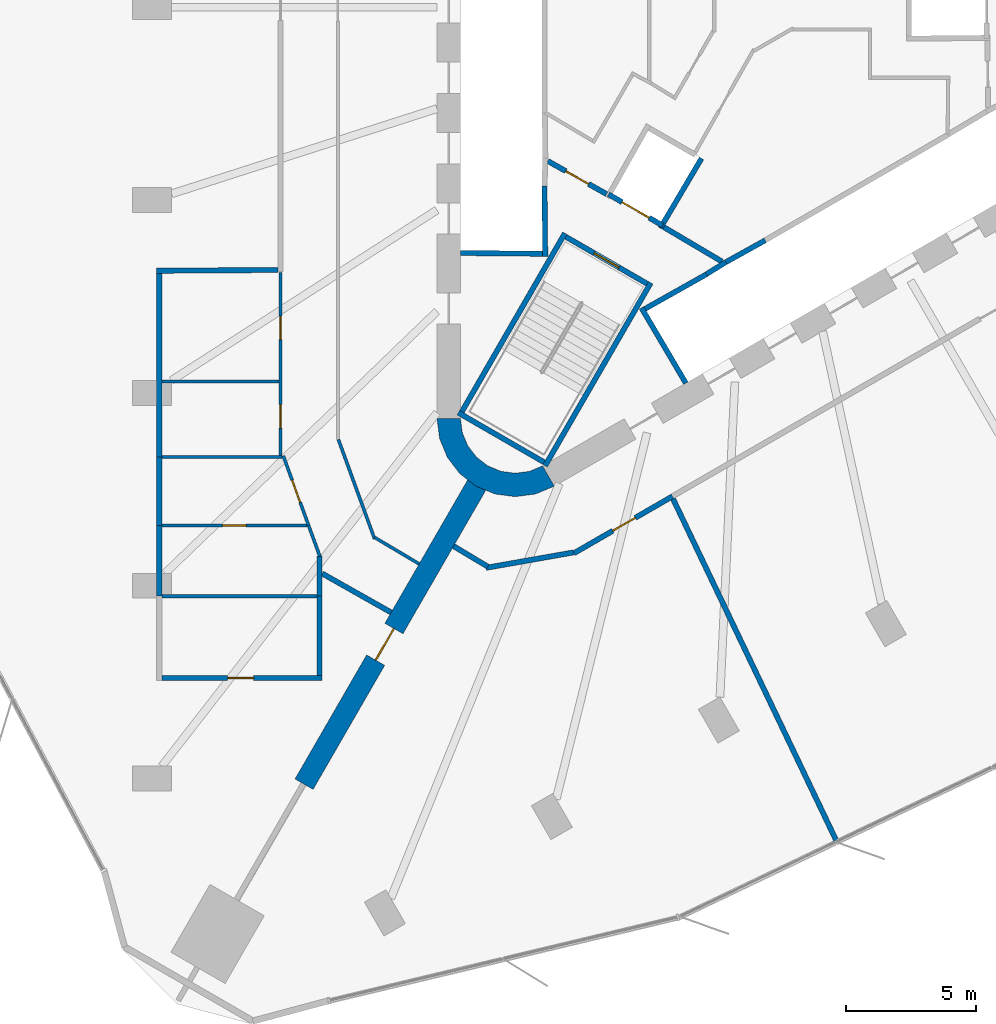
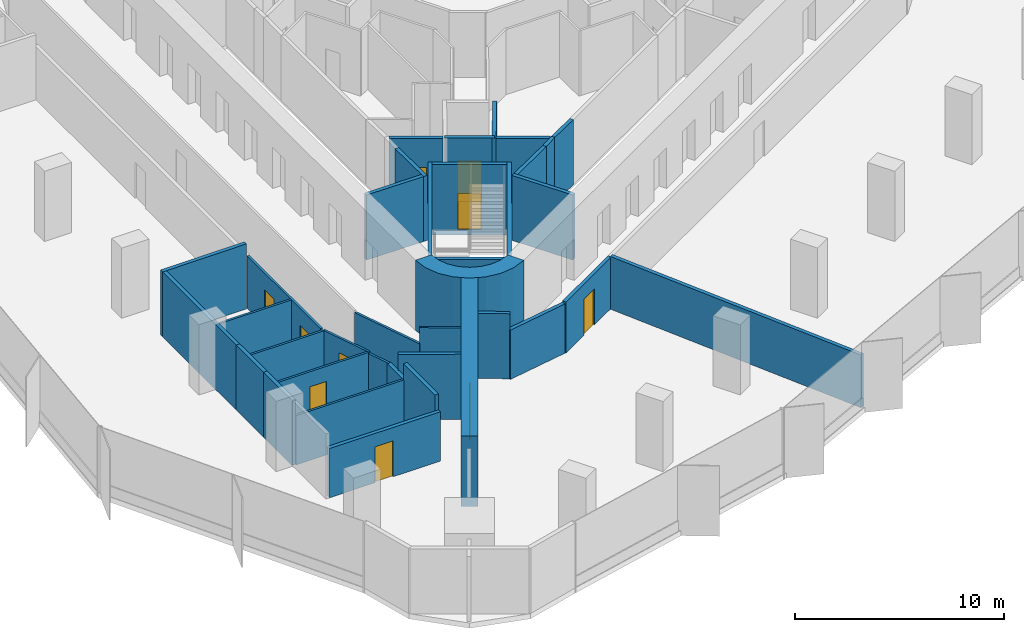
# One storey, part 9 of 15: 37 walls, 10 doors, 10 openings.
"""IFC4 building model written with IfcOpenShell, lengths in metres."""

from ifc_helpers import new_model, si_unit, direction, frame, frame_2d, origin, place, context, subcontext, project, spatial, polyline, rectangle, outline, extrude, material, layer, layer_set, type_object, element, fill, save


model = new_model("IFC4")

# Units and contexts
model_context = context("Model", 3, precision=1e-05, world=origin(), true_north=direction((0.0, 1.0)))
body_context = subcontext(model_context, "Body", "Model", "MODEL_VIEW")
ifc_project = project(units=[si_unit("LENGTHUNIT", "METRE"), si_unit("AREAUNIT", "SQUARE_METRE"), si_unit("VOLUMEUNIT", "CUBIC_METRE"), si_unit("PLANEANGLEUNIT", "RADIAN"), si_unit("MASSUNIT", "GRAM", prefix="KILO")], contexts=[model_context])

# Site, building, storey
site_placement = place(None, origin())
site = spatial("IfcSite", under=ifc_project, at=site_placement, CompositionType="ELEMENT")
building_placement = place(site_placement, origin())
building = spatial("IfcBuilding", under=site, at=building_placement, Name="Tanit Gate Tower", CompositionType="ELEMENT")
storey_placement = place(building_placement, frame((0.0, 0.0, 98.800048828125)))
storey = spatial("IfcBuildingStorey", under=building, at=storey_placement, Name="L20", CompositionType="ELEMENT", Elevation=98.800048828125)

# Wall, opening, door
ifc_material_1 = material(Name="Concrete C60/75", Category="concrete")
ifc_layer_1 = layer(ifc_material_1, 0.800048828125)
ifc_layer_set_1 = layer_set([ifc_layer_1], Name="BUTTRESS FIN 800 C60/75")
wall_type_1 = type_object("IfcWallType", Name="BUTTRESS FIN 800 C60/75", PredefinedType="SHEAR", material=ifc_layer_set_1)
wall_1_placement = place(storey_placement, frame((-10.574951171875, -18.31640625, 0.0), z_axis=(0.0, 0.0, 1.0), x_axis=(-0.500006018292, -0.866021929094, 0.0)))
wall_1 = element("IfcWall", 1, at=wall_1_placement, inside=storey, type_object=wall_type_1, Name="BUTTRESS FIN", PredefinedType="SHEAR", context=body_context, shape_type="SweptSolid", body=[
    extrude(rectangle(XDim=13.240966796875, YDim=0.800048828125, at=frame_2d((6.62060546875, 0.0))), origin(), (0.0, 0.0, 1.0), 4.099853515625),
])
opening_1_placement = place(wall_1_placement, frame((6.35009765625, 0.0, 0.0)))
opening_1 = element("IfcOpeningElement", 2, at=opening_1_placement, cuts=wall_1, Name="Opening P14-S04-F-SW-1", PredefinedType="OPENING", context=body_context, shape_type="SweptSolid", body=[
    extrude(rectangle(XDim=1.39990234375, YDim=2.39990234375, at=frame_2d((0.699951171875, 1.199951171875))), frame((0.0, 0.41015625, 0.0), z_axis=(0.0, -1.0, 0.0), x_axis=(1.0, 0.0, 0.0)), (0.0, 0.0, 1.0), 0.820068359375),
])
ifc_material_2 = material(Name="Timber door leaf", Category="wood")
door_type_1 = type_object("IfcDoorType", Name="INT-DOOR-FIN-PAIR-1400", OperationType="NOTDEFINED", PredefinedType="NOTDEFINED", material=ifc_material_2)
door_1_placement = place(opening_1_placement, origin())
door_1 = element("IfcDoor", 3, at=door_1_placement, inside=storey, type_object=door_type_1, Name="Door P14-S04-F-SW-1", OperationType="DOUBLE_DOOR_SINGLE_SWING", OverallHeight=2.39990234375, OverallWidth=1.39990234375, PredefinedType="NOTDEFINED", context=body_context, shape_type="SweptSolid", body=[
    extrude(rectangle(XDim=1.39990234375, YDim=2.39990234375, at=frame_2d((0.699951171875, 1.199951171875))), frame((0.0, 0.02490234375, 0.0), z_axis=(0.0, -1.0, 0.0), x_axis=(1.0, 0.0, 0.0)), (0.0, 0.0, 1.0), 0.050048828125),
])
fill(opening_1, door_1)

# Walls
ifc_material_3 = material(Name="Concrete C60/75", Category="concrete")
ifc_layer_2 = layer(ifc_material_3, 0.89990234375)
ifc_layer_set_2 = layer_set([ifc_layer_2], Name="CORE WALL 900 C60/75")
wall_type_2 = type_object("IfcWallType", Name="CORE WALL 900 C60/75", PredefinedType="SHEAR", material=ifc_layer_set_2)
wall_2_placement = place(storey_placement, origin())
element("IfcWall", 4, at=wall_2_placement, inside=storey, type_object=wall_type_2, Name="CORE WALL CORNER", PredefinedType="SHEAR", context=body_context, shape_type="SweptSolid", body=[
    extrude(outline(polyline([(-12.10009765625, -15.76171875), (-11.997802734375, -16.5380859375), (-11.697998046875, -17.26171875), (-11.22119140625, -17.883056640625), (-10.60009765625, -18.359619140625), (-9.87646484375, -18.659423828125), (-9.10009765625, -18.76171875), (-8.323486328125, -18.659423828125), (-7.60009765625, -18.359619140625), (-8.050048828125, -17.580322265625), (-8.556396484375, -17.7900390625), (-9.10009765625, -17.86181640625), (-9.6435546875, -17.7900390625), (-10.14990234375, -17.580322265625), (-10.5849609375, -17.24658203125), (-10.918701171875, -16.811767578125), (-11.12841796875, -16.30517578125), (-11.199951171875, -15.76171875), (-12.10009765625, -15.76171875)])), origin(), (0.0, 0.0, 1.0), 4.099853515625),
])
ifc_material_4 = material(Name="Fire-rated gypsum board partition")
ifc_layer_3 = layer(ifc_material_4, 0.199951171875)
ifc_layer_set_3 = layer_set([ifc_layer_3], Name="INT-WALL-COMPARTMENT")
wall_type_3 = type_object("IfcWallType", Name="INT-WALL-COMPARTMENT", PredefinedType="PARTITIONING", material=ifc_layer_set_3)
wall_3_placement = place(storey_placement, frame((-3.400634765625, -8.43017578125, 0.0), z_axis=(0.0, 0.0, 1.0), x_axis=(0.860615607571, -0.509255118781, 0.0)))
element("IfcWall", 5, at=wall_3_placement, inside=storey, type_object=wall_type_3, Name="Wall Compartment W063", PredefinedType="PARTITIONING", context=body_context, shape_type="SweptSolid", body=[
    extrude(rectangle(XDim=2.58056640625, YDim=0.199951171875, at=frame_2d((1.290283203125, 0.0))), origin(), (0.0, 0.0, 1.0), 3.800048828125),
])

# Wall, opening, door
wall_4_placement = place(storey_placement, frame((-7.849365234375, -5.893798828125, 0.0), z_axis=(0.0, 0.0, 1.0), x_axis=(0.871363259478, -0.490638431059, 0.0)))
wall_4 = element("IfcWall", 6, at=wall_4_placement, inside=storey, type_object=wall_type_3, Name="Wall Compartment W064", PredefinedType="PARTITIONING", context=body_context, shape_type="SweptSolid", body=[
    extrude(rectangle(XDim=2.5810546875, YDim=0.199951171875, at=frame_2d((1.29052734375, 0.0))), origin(), (0.0, 0.0, 1.0), 3.800048828125),
])
opening_2_placement = place(wall_4_placement, frame((0.79052734375, 0.0, 0.0)))
opening_2 = element("IfcOpeningElement", 7, at=opening_2_placement, cuts=wall_4, Name="Opening F10-S04-08", PredefinedType="OPENING", context=body_context, shape_type="SweptSolid", body=[
    extrude(rectangle(XDim=1.0, YDim=2.10009765625, at=frame_2d((0.5, 1.050048828125))), frame((0.0, 0.10986328125, 0.0), z_axis=(0.0, -1.0, 0.0), x_axis=(1.0, 0.0, 0.0)), (0.0, 0.0, 1.0), 0.219970703125),
])
ifc_material_5 = material(Name="Fire-rated steel door leaf", Category="steel")
door_type_2 = type_object("IfcDoorType", Name="INT-DOOR-FIRE-1000", OperationType="NOTDEFINED", PredefinedType="USERDEFINED", material=ifc_material_5)
door_2_placement = place(opening_2_placement, origin())
door_2 = element("IfcDoor", 8, at=door_2_placement, inside=storey, type_object=door_type_2, Name="Door F10-S04-08", ObjectType="FIRE DOOR", OperationType="SINGLE_SWING_RIGHT", OverallHeight=2.10009765625, OverallWidth=1.0, PredefinedType="USERDEFINED", context=body_context, shape_type="SweptSolid", body=[
    extrude(rectangle(XDim=1.0, YDim=2.10009765625, at=frame_2d((0.5, 1.050048828125))), frame((0.0, 0.02490234375, 0.0), z_axis=(0.0, -1.0, 0.0), x_axis=(1.0, 0.0, 0.0)), (0.0, 0.0, 1.0), 0.050048828125),
])
fill(opening_2, door_2)

# Wall
wall_5_placement = place(storey_placement, frame((-16.5, -21.706298828125, 0.0), z_axis=(0.0, 0.0, 1.0), x_axis=(0.870637705421, -0.491924776668, 0.0)))
element("IfcWall", 9, at=wall_5_placement, inside=storey, type_object=wall_type_3, Name="Wall Compartment W092", PredefinedType="PARTITIONING", context=body_context, shape_type="SweptSolid", body=[
    extrude(rectangle(XDim=3.036376953125, YDim=0.199951171875, at=frame_2d((1.51806640625, 0.0))), origin(), (0.0, 0.0, 1.0), 3.800048828125),
])

# Wall, opening, door
wall_6_placement = place(storey_placement, frame((-6.852294921875, -20.930419921875, 0.0), z_axis=(0.0, 0.0, 1.0), x_axis=(0.865997465245, 0.500048387848, 0.0)))
wall_6 = element("IfcWall", 10, at=wall_6_placement, inside=storey, type_object=wall_type_3, Name="Wall Compartment W113", PredefinedType="PARTITIONING", context=body_context, shape_type="SweptSolid", body=[
    extrude(rectangle(XDim=4.36572265625, YDim=0.199951171875, at=frame_2d((2.182861328125, 0.0))), origin(), (0.0, 0.0, 1.0), 2.97998046875),
])
opening_3_placement = place(wall_6_placement, frame((1.720947265625, 0.0, 0.0)))
opening_3 = element("IfcOpeningElement", 11, at=opening_3_placement, cuts=wall_6, Name="Opening F10-S04-30", PredefinedType="OPENING", context=body_context, shape_type="SweptSolid", body=[
    extrude(rectangle(XDim=1.0, YDim=2.10009765625, at=frame_2d((0.5, 1.050048828125))), frame((0.0, 0.10986328125, 0.0), z_axis=(0.0, -1.0, 0.0), x_axis=(1.0, 0.0, 0.0)), (0.0, 0.0, 1.0), 0.219970703125),
])
door_3_placement = place(opening_3_placement, origin())
door_3 = element("IfcDoor", 12, at=door_3_placement, inside=storey, type_object=door_type_2, Name="Door F10-S04-30", ObjectType="FIRE DOOR", OperationType="SINGLE_SWING_LEFT", OverallHeight=2.10009765625, OverallWidth=1.0, PredefinedType="USERDEFINED", context=body_context, shape_type="SweptSolid", body=[
    extrude(rectangle(XDim=1.0, YDim=2.10009765625, at=frame_2d((0.5, 1.050048828125))), frame((0.0, 0.02490234375, 0.0), z_axis=(0.0, -1.0, 0.0), x_axis=(1.0, 0.0, 0.0)), (0.0, 0.0, 1.0), 0.050048828125),
])
fill(opening_3, door_3)

# Walls
wall_7_placement = place(storey_placement, frame((-10.22021484375, -21.489501953125, 0.0), z_axis=(0.0, 0.0, 1.0), x_axis=(0.984805188344, 0.173662721995, 0.0)))
element("IfcWall", 13, at=wall_7_placement, inside=storey, type_object=wall_type_3, Name="Wall Compartment W114", PredefinedType="PARTITIONING", context=body_context, shape_type="SweptSolid", body=[
    extrude(rectangle(XDim=3.40771484375, YDim=0.199951171875, at=frame_2d((1.703857421875, 0.0))), origin(), (0.0, 0.0, 1.0), 2.8798828125),
])
wall_8_placement = place(storey_placement, frame((-11.46484375, -20.657470703125, 0.0), z_axis=(0.0, 0.0, 1.0), x_axis=(0.858376755127, -0.513019830276, 0.0)))
element("IfcWall", 14, at=wall_8_placement, inside=storey, type_object=wall_type_3, Name="Wall Compartment W115", PredefinedType="PARTITIONING", context=body_context, shape_type="SweptSolid", body=[
    extrude(rectangle(XDim=1.533203125, YDim=0.199951171875, at=frame_2d((0.7666015625, 0.0))), origin(), (0.0, 0.0, 1.0), 3.800048828125),
])
wall_9_placement = place(storey_placement, frame((-16.60009765625, -25.612548828125, 0.0), z_axis=(0.0, 0.0, 1.0), x_axis=(0.0, 1.0, 0.0)))
element("IfcWall", 15, at=wall_9_placement, inside=storey, type_object=wall_type_3, Name="Wall Compartment W135", PredefinedType="PARTITIONING", context=body_context, shape_type="SweptSolid", body=[
    extrude(rectangle(XDim=3.03515625, YDim=0.199951171875, at=frame_2d((1.517578125, 0.0))), origin(), (0.0, 0.0, 1.0), 3.800048828125),
])
wall_10_placement = place(storey_placement, frame((-16.60009765625, -22.577392578125, 0.0), z_axis=(0.0, 0.0, 1.0), x_axis=(0.0, 1.0, 0.0)))
element("IfcWall", 16, at=wall_10_placement, inside=storey, type_object=wall_type_3, Name="Wall Compartment W132", PredefinedType="PARTITIONING", context=body_context, shape_type="SweptSolid", body=[
    extrude(rectangle(XDim=1.541748046875, YDim=0.199951171875, at=frame_2d((0.77099609375, 0.0))), origin(), (0.0, 0.0, 1.0), 2.8798828125),
])
wall_11_placement = place(storey_placement, frame((-22.85009765625, -10.1005859375, 0.0), z_axis=(0.0, 0.0, 1.0), x_axis=(0.999979149644, 0.00645757523, 0.0)))
element("IfcWall", 17, at=wall_11_placement, inside=storey, type_object=wall_type_3, Name="Wall Compartment W127", PredefinedType="PARTITIONING", context=body_context, shape_type="SweptSolid", body=[
    extrude(rectangle(XDim=4.650146484375, YDim=0.199951171875, at=frame_2d((2.3251953125, 0.0))), origin(), (0.0, 0.0, 1.0), 3.800048828125),
])
wall_12_placement = place(storey_placement, frame((-22.75, -22.577392578125, 0.0), z_axis=(0.0, 0.0, 1.0), x_axis=(0.0, 1.0, 0.0)))
element("IfcWall", 18, at=wall_12_placement, inside=storey, type_object=wall_type_3, Name="Wall Compartment W131", PredefinedType="PARTITIONING", context=body_context, shape_type="SweptSolid", body=[
    extrude(rectangle(XDim=2.716552734375, YDim=0.199951171875, at=frame_2d((1.3583984375, 0.0))), origin(), (0.0, 0.0, 1.0), 3.800048828125),
])
wall_13_placement = place(storey_placement, frame((-22.75, -17.235107421875, 0.0), z_axis=(0.0, 0.0, 1.0), x_axis=(0.0, 1.0, 0.0)))
element("IfcWall", 19, at=wall_13_placement, inside=storey, type_object=wall_type_3, Name="Wall Compartment W129", PredefinedType="PARTITIONING", context=body_context, shape_type="SweptSolid", body=[
    extrude(rectangle(XDim=7.03515625, YDim=0.199951171875, at=frame_2d((3.517578125, 0.0))), origin(), (0.0, 0.0, 1.0), 3.800048828125),
])
wall_14_placement = place(storey_placement, frame((-22.75, -19.86083984375, 0.0), z_axis=(0.0, 0.0, 1.0), x_axis=(0.0, 1.0, 0.0)))
element("IfcWall", 20, at=wall_14_placement, inside=storey, type_object=wall_type_3, Name="Wall Compartment W130", PredefinedType="PARTITIONING", context=body_context, shape_type="SweptSolid", body=[
    extrude(rectangle(XDim=2.625732421875, YDim=0.199951171875, at=frame_2d((1.31298828125, 0.0))), origin(), (0.0, 0.0, 1.0), 3.800048828125),
])

# Wall, opening, door
wall_15_placement = place(storey_placement, frame((-22.64990234375, -25.71240234375, 0.0), z_axis=(0.0, 0.0, 1.0), x_axis=(1.0, 0.0, 0.0)))
wall_15 = element("IfcWall", 21, at=wall_15_placement, inside=storey, type_object=wall_type_3, Name="Wall Compartment W134", PredefinedType="PARTITIONING", context=body_context, shape_type="SweptSolid", body=[
    extrude(rectangle(XDim=6.14990234375, YDim=0.199951171875, at=frame_2d((3.074951171875, 0.0))), origin(), (0.0, 0.0, 1.0), 2.8798828125),
])
opening_4_placement = place(wall_15_placement, frame((2.52490234375, 0.0, 0.0)))
opening_4 = element("IfcOpeningElement", 22, at=opening_4_placement, cuts=wall_15, Name="Opening F10-S04-24", PredefinedType="OPENING", context=body_context, shape_type="SweptSolid", body=[
    extrude(rectangle(XDim=1.0, YDim=2.10009765625, at=frame_2d((0.5, 1.050048828125))), frame((0.0, 0.10986328125, 0.0), z_axis=(0.0, -1.0, 0.0), x_axis=(1.0, 0.0, 0.0)), (0.0, 0.0, 1.0), 0.219970703125),
])
door_4_placement = place(opening_4_placement, origin())
door_4 = element("IfcDoor", 23, at=door_4_placement, inside=storey, type_object=door_type_2, Name="Door F10-S04-24", ObjectType="FIRE DOOR", OperationType="SINGLE_SWING_LEFT", OverallHeight=2.10009765625, OverallWidth=1.0, PredefinedType="USERDEFINED", context=body_context, shape_type="SweptSolid", body=[
    extrude(rectangle(XDim=1.0, YDim=2.10009765625, at=frame_2d((0.5, 1.050048828125))), frame((0.0, 0.02490234375, 0.0), z_axis=(0.0, -1.0, 0.0), x_axis=(1.0, 0.0, 0.0)), (0.0, 0.0, 1.0), 0.050048828125),
])
fill(opening_4, door_4)

# Walls
wall_16_placement = place(storey_placement, frame((-3.049072265625, -18.849853515625, 0.0), z_axis=(0.0, 0.0, 1.0), x_axis=(0.431079326347, -0.902314033137, 0.0)))
element("IfcWall", 24, at=wall_16_placement, inside=storey, type_object=wall_type_3, Name="Wall Compartment W140", PredefinedType="PARTITIONING", context=body_context, shape_type="SweptSolid", body=[
    extrude(rectangle(XDim=14.561279296875, YDim=0.199951171875, at=frame_2d((7.28076171875, 0.0))), origin(), (0.0, 0.0, 1.0), 3.079833984375),
])
ifc_material_6 = material(Name="Gypsum board partition")
ifc_layer_4 = layer(ifc_material_6, 0.1201171875)
ifc_layer_set_4 = layer_set([ifc_layer_4], Name="INT-WALL-PARTITION")
wall_type_4 = type_object("IfcWallType", Name="INT-WALL-PARTITION", PredefinedType="PARTITIONING", material=ifc_layer_set_4)
wall_17_placement = place(storey_placement, frame((-15.87939453125, -16.5673828125, 0.0), z_axis=(0.0, 0.0, 1.0), x_axis=(0.341999322503, -0.939700198685, 0.0)))
element("IfcWall", 25, at=wall_17_placement, inside=storey, type_object=wall_type_4, Name="Wall Partition W089", PredefinedType="PARTITIONING", context=body_context, shape_type="SweptSolid", body=[
    extrude(rectangle(XDim=4.053955078125, YDim=0.1201171875, at=frame_2d((2.02685546875, 0.0))), origin(), (0.0, 0.0, 1.0), 2.8798828125),
])
wall_18_placement = place(storey_placement, frame((-14.494140625, -20.322021484375, 0.0), z_axis=(0.0, 0.0, 1.0), x_axis=(0.859745408261, -0.510722853389, 0.0)))
element("IfcWall", 26, at=wall_18_placement, inside=storey, type_object=wall_type_4, Name="Wall Partition W090", PredefinedType="PARTITIONING", context=body_context, shape_type="SweptSolid", body=[
    extrude(rectangle(XDim=1.991455078125, YDim=0.1201171875, at=frame_2d((0.99560546875, 0.0))), origin(), (0.0, 0.0, 1.0), 3.800048828125),
])

# Wall, openings, doors
wall_19_placement = place(storey_placement, frame((-18.10009765625, -10.169921875, 0.0), z_axis=(0.0, 0.0, 1.0), x_axis=(0.0, -1.0, 0.0)))
wall_19 = element("IfcWall", 27, at=wall_19_placement, inside=storey, type_object=wall_type_4, Name="Wall Partition W099", PredefinedType="PARTITIONING", context=body_context, shape_type="SweptSolid", body=[
    extrude(rectangle(XDim=7.00537109375, YDim=0.1201171875, at=frame_2d((3.502685546875, 0.0))), origin(), (0.0, 0.0, 1.0), 3.079833984375),
])
opening_5_placement = place(wall_19_placement, frame((1.670654296875, 0.0, 0.0)))
opening_5 = element("IfcOpeningElement", 28, at=opening_5_placement, cuts=wall_19, Name="Opening D09-S04-20", PredefinedType="OPENING", context=body_context, shape_type="SweptSolid", body=[
    extrude(rectangle(XDim=0.89990234375, YDim=2.10009765625, at=frame_2d((0.449951171875, 1.050048828125))), frame((0.0, 0.070068359375, 0.0), z_axis=(0.0, -1.0, 0.0), x_axis=(1.0, 0.0, 0.0)), (0.0, 0.0, 1.0), 0.14013671875),
])
opening_6_placement = place(wall_19_placement, frame((5.065185546875, 0.0, 0.0)))
opening_6 = element("IfcOpeningElement", 29, at=opening_6_placement, cuts=wall_19, Name="Opening D09-S04-21", PredefinedType="OPENING", context=body_context, shape_type="SweptSolid", body=[
    extrude(rectangle(XDim=0.89990234375, YDim=2.10009765625, at=frame_2d((0.449951171875, 1.050048828125))), frame((0.0, 0.070068359375, 0.0), z_axis=(0.0, -1.0, 0.0), x_axis=(1.0, 0.0, 0.0)), (0.0, 0.0, 1.0), 0.14013671875),
])
ifc_material_7 = material(Name="Timber door leaf", Category="wood")
door_type_3 = type_object("IfcDoorType", Name="INT-DOOR-SINGLE-900", OperationType="NOTDEFINED", PredefinedType="NOTDEFINED", material=ifc_material_7)
door_5_placement = place(opening_5_placement, origin())
door_5 = element("IfcDoor", 30, at=door_5_placement, inside=storey, type_object=door_type_3, Name="Door D09-S04-20", OperationType="SINGLE_SWING_LEFT", OverallHeight=2.10009765625, OverallWidth=0.89990234375, PredefinedType="NOTDEFINED", context=body_context, shape_type="SweptSolid", body=[
    extrude(rectangle(XDim=0.89990234375, YDim=2.10009765625, at=frame_2d((0.449951171875, 1.050048828125))), frame((0.0, 0.02490234375, 0.0), z_axis=(0.0, -1.0, 0.0), x_axis=(1.0, 0.0, 0.0)), (0.0, 0.0, 1.0), 0.050048828125),
])
fill(opening_5, door_5)
door_6_placement = place(opening_6_placement, origin())
door_6 = element("IfcDoor", 31, at=door_6_placement, inside=storey, type_object=door_type_3, Name="Door D09-S04-21", OperationType="SINGLE_SWING_LEFT", OverallHeight=2.10009765625, OverallWidth=0.89990234375, PredefinedType="NOTDEFINED", context=body_context, shape_type="SweptSolid", body=[
    extrude(rectangle(XDim=0.89990234375, YDim=2.10009765625, at=frame_2d((0.449951171875, 1.050048828125))), frame((0.0, 0.02490234375, 0.0), z_axis=(0.0, -1.0, 0.0), x_axis=(1.0, 0.0, 0.0)), (0.0, 0.0, 1.0), 0.050048828125),
])
fill(opening_6, door_6)

# Wall, opening, door
wall_20_placement = place(storey_placement, frame((-17.991943359375, -17.19580078125, 0.0), z_axis=(0.0, 0.0, 1.0), x_axis=(0.341997880797, -0.939700723385, 0.0)))
wall_20 = element("IfcWall", 32, at=wall_20_placement, inside=storey, type_object=wall_type_4, Name="Wall Partition W101", PredefinedType="PARTITIONING", context=body_context, shape_type="SweptSolid", body=[
    extrude(rectangle(XDim=2.84619140625, YDim=0.1201171875, at=frame_2d((1.423095703125, 0.0))), origin(), (0.0, 0.0, 1.0), 2.97998046875),
])
opening_7_placement = place(wall_20_placement, frame((0.994140625, 0.0, 0.0)))
opening_7 = element("IfcOpeningElement", 33, at=opening_7_placement, cuts=wall_20, Name="Opening D09-S04-22", PredefinedType="OPENING", context=body_context, shape_type="SweptSolid", body=[
    extrude(rectangle(XDim=0.89990234375, YDim=2.10009765625, at=frame_2d((0.449951171875, 1.050048828125))), frame((0.0, 0.070068359375, 0.0), z_axis=(0.0, -1.0, 0.0), x_axis=(1.0, 0.0, 0.0)), (0.0, 0.0, 1.0), 0.14013671875),
])
door_7_placement = place(opening_7_placement, origin())
door_7 = element("IfcDoor", 34, at=door_7_placement, inside=storey, type_object=door_type_3, Name="Door D09-S04-22", OperationType="SINGLE_SWING_RIGHT", OverallHeight=2.10009765625, OverallWidth=0.89990234375, PredefinedType="NOTDEFINED", context=body_context, shape_type="SweptSolid", body=[
    extrude(rectangle(XDim=0.89990234375, YDim=2.10009765625, at=frame_2d((0.449951171875, 1.050048828125))), frame((0.0, 0.02490234375, 0.0), z_axis=(0.0, -1.0, 0.0), x_axis=(1.0, 0.0, 0.0)), (0.0, 0.0, 1.0), 0.050048828125),
])
fill(opening_7, door_7)

# Walls
wall_21_placement = place(storey_placement, frame((-17.0185546875, -19.870361328125, 0.0), z_axis=(0.0, 0.0, 1.0), x_axis=(0.341976406316, -0.939708538603, 0.0)))
element("IfcWall", 35, at=wall_21_placement, inside=storey, type_object=wall_type_4, Name="Wall Partition W102", PredefinedType="PARTITIONING", context=body_context, shape_type="SweptSolid", body=[
    extrude(rectangle(XDim=1.260009765625, YDim=0.1201171875, at=frame_2d((0.6298828125, 0.0))), origin(), (0.0, 0.0, 1.0), 2.8798828125),
])
wall_22_placement = place(storey_placement, frame((-22.64990234375, -14.351318359375, 0.0), z_axis=(0.0, 0.0, 1.0), x_axis=(1.0, 0.0, 0.0)))
element("IfcWall", 36, at=wall_22_placement, inside=storey, type_object=wall_type_4, Name="Wall Partition W144", PredefinedType="PARTITIONING", context=body_context, shape_type="SweptSolid", body=[
    extrude(rectangle(XDim=4.489990234375, YDim=0.1201171875, at=frame_2d((2.2451171875, 0.0))), origin(), (0.0, 0.0, 1.0), 3.079833984375),
])
wall_23_placement = place(storey_placement, frame((-18.04150390625, -17.235107421875, 0.0), z_axis=(0.0, 0.0, 1.0), x_axis=(-1.0, 0.0, 0.0)))
element("IfcWall", 37, at=wall_23_placement, inside=storey, type_object=wall_type_4, Name="Wall Partition W145", PredefinedType="PARTITIONING", context=body_context, shape_type="SweptSolid", body=[
    extrude(rectangle(XDim=4.6083984375, YDim=0.1201171875, at=frame_2d((2.30419921875, 0.0))), origin(), (0.0, 0.0, 1.0), 2.97998046875),
])

# Wall, opening, door
wall_24_placement = place(storey_placement, frame((-17.085693359375, -19.86083984375, 0.0), z_axis=(0.0, 0.0, 1.0), x_axis=(-1.0, 0.0, 0.0)))
wall_24 = element("IfcWall", 38, at=wall_24_placement, inside=storey, type_object=wall_type_4, Name="Wall Partition W146", PredefinedType="PARTITIONING", context=body_context, shape_type="SweptSolid", body=[
    extrude(rectangle(XDim=5.564208984375, YDim=0.1201171875, at=frame_2d((2.7822265625, 0.0))), origin(), (0.0, 0.0, 1.0), 2.97998046875),
])
opening_8_placement = place(wall_24_placement, frame((2.33203125, 0.0, 0.0)))
opening_8 = element("IfcOpeningElement", 39, at=opening_8_placement, cuts=wall_24, Name="Opening D09-S04-23", PredefinedType="OPENING", context=body_context, shape_type="SweptSolid", body=[
    extrude(rectangle(XDim=0.89990234375, YDim=2.10009765625, at=frame_2d((0.449951171875, 1.050048828125))), frame((0.0, 0.070068359375, 0.0), z_axis=(0.0, -1.0, 0.0), x_axis=(1.0, 0.0, 0.0)), (0.0, 0.0, 1.0), 0.14013671875),
])
door_8_placement = place(opening_8_placement, origin())
door_8 = element("IfcDoor", 40, at=door_8_placement, inside=storey, type_object=door_type_3, Name="Door D09-S04-23", OperationType="SINGLE_SWING_LEFT", OverallHeight=2.10009765625, OverallWidth=0.89990234375, PredefinedType="NOTDEFINED", context=body_context, shape_type="SweptSolid", body=[
    extrude(rectangle(XDim=0.89990234375, YDim=2.10009765625, at=frame_2d((0.449951171875, 1.050048828125))), frame((0.0, 0.02490234375, 0.0), z_axis=(0.0, -1.0, 0.0), x_axis=(1.0, 0.0, 0.0)), (0.0, 0.0, 1.0), 0.050048828125),
])
fill(opening_8, door_8)

# Walls
wall_25_placement = place(storey_placement, frame((-16.699951171875, -22.577392578125, 0.0), z_axis=(0.0, 0.0, 1.0), x_axis=(-1.0, 0.0, 0.0)))
element("IfcWall", 41, at=wall_25_placement, inside=storey, type_object=wall_type_4, Name="Wall Partition W147", PredefinedType="PARTITIONING", context=body_context, shape_type="SweptSolid", body=[
    extrude(rectangle(XDim=5.949951171875, YDim=0.1201171875, at=frame_2d((2.97509765625, 0.0))), origin(), (0.0, 0.0, 1.0), 2.8798828125),
])
ifc_material_8 = material(Name="Gypsum shaft wall system")
ifc_layer_5 = layer(ifc_material_8, 0.199951171875)
ifc_layer_set_5 = layer_set([ifc_layer_5], Name="INT-WALL-SHAFT")
wall_type_5 = type_object("IfcWallType", Name="INT-WALL-SHAFT", PredefinedType="PLUMBINGWALL", material=ifc_layer_set_5)
wall_26_placement = place(storey_placement, frame((-7.97900390625, -6.85009765625, 0.0), z_axis=(0.0, 0.0, 1.0), x_axis=(0.011121475088, -0.999938154483, 0.0)))
element("IfcWall", 42, at=wall_26_placement, inside=storey, type_object=wall_type_5, Name="Wall Shaft W011", PredefinedType="PLUMBINGWALL", context=body_context, shape_type="SweptSolid", body=[
    extrude(rectangle(XDim=2.7001953125, YDim=0.199951171875, at=frame_2d((1.35009765625, 0.0))), origin(), (0.0, 0.0, 1.0), 3.800048828125),
])
wall_27_placement = place(storey_placement, frame((-8.050048828125, -9.448974609375, 0.0), z_axis=(0.0, 0.0, 1.0), x_axis=(-0.999957467379, 0.009222983926, 0.0)))
element("IfcWall", 43, at=wall_27_placement, inside=storey, type_object=wall_type_5, Name="Wall Shaft W012", PredefinedType="PLUMBINGWALL", context=body_context, shape_type="SweptSolid", body=[
    extrude(rectangle(XDim=3.150146484375, YDim=0.199951171875, at=frame_2d((1.5751953125, 0.0))), origin(), (0.0, 0.0, 1.0), 3.800048828125),
])
wall_28_placement = place(storey_placement, frame((-2.557861328125, -14.409423828125, 0.0), z_axis=(0.0, 0.0, 1.0), x_axis=(-0.507997497166, 0.861358544901, 0.0)))
element("IfcWall", 44, at=wall_28_placement, inside=storey, type_object=wall_type_5, Name="Wall Shaft W027", PredefinedType="PLUMBINGWALL", context=body_context, shape_type="SweptSolid", body=[
    extrude(rectangle(XDim=3.350341796875, YDim=0.199951171875, at=frame_2d((1.67529296875, 0.0))), origin(), (0.0, 0.0, 1.0), 3.800048828125),
])
wall_29_placement = place(storey_placement, frame((-1.7685546875, -10.23681640625, 0.0), z_axis=(0.0, 0.0, 1.0), x_axis=(-0.871534483978, -0.490334215854, 0.0)))
element("IfcWall", 45, at=wall_29_placement, inside=storey, type_object=wall_type_5, Name="Wall Shaft W028", PredefinedType="PLUMBINGWALL", context=body_context, shape_type="SweptSolid", body=[
    extrude(rectangle(XDim=2.7001953125, YDim=0.199951171875, at=frame_2d((1.35009765625, 0.0))), origin(), (0.0, 0.0, 1.0), 3.800048828125),
])
wall_30_placement = place(storey_placement, frame((-1.02392578125, -9.77099609375, 0.0), z_axis=(0.0, 0.0, 1.0), x_axis=(-0.850348075135, -0.526220629693, 0.0)))
element("IfcWall", 46, at=wall_30_placement, inside=storey, type_object=wall_type_5, Name="Wall Shaft W029", PredefinedType="PLUMBINGWALL", context=body_context, shape_type="SweptSolid", body=[
    extrude(rectangle(XDim=0.878173828125, YDim=0.199951171875, at=frame_2d((0.43896484375, 0.0))), origin(), (0.0, 0.0, 1.0), 3.800048828125),
])
wall_31_placement = place(storey_placement, frame((-1.130126953125, -9.831298828125, 0.0), z_axis=(0.0, 0.0, 1.0), x_axis=(0.874269620932, 0.485440655401, 0.0)))
element("IfcWall", 47, at=wall_31_placement, inside=storey, type_object=wall_type_5, Name="Wall Shaft W030", PredefinedType="PLUMBINGWALL", context=body_context, shape_type="SweptSolid", body=[
    extrude(rectangle(XDim=1.8447265625, YDim=0.199951171875, at=frame_2d((0.92236328125, 0.0))), origin(), (0.0, 0.0, 1.0), 3.800048828125),
])

# Wall, opening, door
wall_32_placement = place(storey_placement, frame((-3.44580078125, -8.3681640625, 0.0), z_axis=(0.0, 0.0, 1.0), x_axis=(-0.866024647952, 0.500001309137, 0.0)))
wall_32 = element("IfcWall", 48, at=wall_32_placement, inside=storey, type_object=wall_type_5, Name="Wall Shaft W053", PredefinedType="PLUMBINGWALL", context=body_context, shape_type="SweptSolid", body=[
    extrude(rectangle(XDim=2.39990234375, YDim=0.199951171875, at=frame_2d((1.199951171875, 0.0))), origin(), (0.0, 0.0, 1.0), 3.800048828125),
])
opening_9_placement = place(wall_32_placement, frame((0.60009765625, 0.0, 0.0)))
opening_9 = element("IfcOpeningElement", 49, at=opening_9_placement, cuts=wall_32, Name="Opening LDFL3-L20", PredefinedType="OPENING", context=body_context, shape_type="SweptSolid", body=[
    extrude(rectangle(XDim=1.199951171875, YDim=2.39990234375, at=frame_2d((0.60009765625, 1.199951171875))), frame((0.0, 0.10986328125, 0.0), z_axis=(0.0, -1.0, 0.0), x_axis=(1.0, 0.0, 0.0)), (0.0, 0.0, 1.0), 0.219970703125),
])
ifc_material_9 = material(Name="Stainless steel sliding door leaf", Category="steel")
door_type_4 = type_object("IfcDoorType", Name="INT-DOOR-LANDING-1200", OperationType="NOTDEFINED", PredefinedType="USERDEFINED", material=ifc_material_9)
door_9_placement = place(opening_9_placement, origin())
door_9 = element("IfcDoor", 50, at=door_9_placement, inside=storey, type_object=door_type_4, Name="Door LDFL3-L20", ObjectType="LANDING DOOR", OperationType="SLIDING_TO_LEFT", OverallHeight=2.39990234375, OverallWidth=1.199951171875, PredefinedType="USERDEFINED", context=body_context, shape_type="SweptSolid", body=[
    extrude(rectangle(XDim=1.199951171875, YDim=2.39990234375, at=frame_2d((0.60009765625, 1.199951171875))), frame((0.0, 0.02490234375, 0.0), z_axis=(0.0, -1.0, 0.0), x_axis=(1.0, 0.0, 0.0)), (0.0, 0.0, 1.0), 0.050048828125),
])
fill(opening_9, door_9)

# Walls
wall_33_placement = place(storey_placement, frame((-1.960693359375, -5.796142578125, 0.0), z_axis=(0.0, 0.0, 1.0), x_axis=(-0.508647062354, -0.860975125052, 0.0)))
element("IfcWall", 51, at=wall_33_placement, inside=storey, type_object=wall_type_5, Name="Wall Shaft W054", PredefinedType="PLUMBINGWALL", context=body_context, shape_type="SweptSolid", body=[
    extrude(rectangle(XDim=3.10009765625, YDim=0.199951171875, at=frame_2d((1.550048828125, 0.0))), origin(), (0.0, 0.0, 1.0), 3.800048828125),
])
ifc_material_10 = material(Name="Concrete C40/50", Category="concrete")
ifc_layer_6 = layer(ifc_material_10, 0.199951171875)
ifc_layer_set_6 = layer_set([ifc_layer_6], Name="INT-WALL-STAIR")
wall_type_6 = type_object("IfcWallType", Name="INT-WALL-STAIR", PredefinedType="SHEAR", material=ifc_layer_set_6)
wall_34_placement = place(storey_placement, frame((-3.904541015625, -10.56298828125, -0.300048828125), z_axis=(0.0, 0.0, 1.0), x_axis=(-0.500012932018, -0.866017937352, 0.0)))
element("IfcWall", 52, at=wall_34_placement, inside=storey, type_object=wall_type_6, Name="Wall Stair W049", PredefinedType="SHEAR", context=body_context, shape_type="SweptSolid", body=[
    extrude(rectangle(XDim=8.099853515625, YDim=0.199951171875, at=frame_2d((4.0498046875, 0.0))), origin(), (0.0, 0.0, 1.0), 4.10009765625),
])
wall_35_placement = place(storey_placement, frame((-11.281982421875, -15.541015625, -0.300048828125), z_axis=(0.0, 0.0, 1.0), x_axis=(0.866000483506, -0.500043160704, 0.0)))
element("IfcWall", 53, at=wall_35_placement, inside=storey, type_object=wall_type_6, Name="Wall Stair W050", PredefinedType="SHEAR", context=body_context, shape_type="SweptSolid", body=[
    extrude(rectangle(XDim=3.800048828125, YDim=0.199951171875, at=frame_2d((1.89990234375, 0.0))), origin(), (0.0, 0.0, 1.0), 4.10009765625),
])
wall_36_placement = place(storey_placement, frame((-7.195556640625, -8.662841796875, -0.300048828125), z_axis=(0.0, 0.0, 1.0), x_axis=(-0.499997992926, -0.866026562566, 0.0)))
element("IfcWall", 54, at=wall_36_placement, inside=storey, type_object=wall_type_6, Name="Wall Stair W051", PredefinedType="SHEAR", context=body_context, shape_type="SweptSolid", body=[
    extrude(rectangle(XDim=7.89990234375, YDim=0.199951171875, at=frame_2d((3.949951171875, 0.0))), origin(), (0.0, 0.0, 1.0), 4.10009765625),
])

# Wall, opening, door
wall_37_placement = place(storey_placement, frame((-4.041259765625, -10.599365234375, -0.300048828125), z_axis=(0.0, 0.0, 1.0), x_axis=(-0.866047807691, 0.499961193289, 0.0)))
wall_37 = element("IfcWall", 55, at=wall_37_placement, inside=storey, type_object=wall_type_6, Name="Wall Stair W052", PredefinedType="SHEAR", context=body_context, shape_type="SweptSolid", body=[
    extrude(rectangle(XDim=3.599853515625, YDim=0.199951171875, at=frame_2d((1.7998046875, 0.0))), origin(), (0.0, 0.0, 1.0), 4.10009765625),
])
opening_10_placement = place(wall_37_placement, frame((1.25, 0.0, 0.300048828125)))
opening_10 = element("IfcOpeningElement", 56, at=opening_10_placement, cuts=wall_37, Name="Opening S11-S04-07", PredefinedType="OPENING", context=body_context, shape_type="SweptSolid", body=[
    extrude(rectangle(XDim=1.10009765625, YDim=2.10009765625, at=frame_2d((0.550048828125, 1.050048828125))), frame((0.0, 0.10986328125, 0.0), z_axis=(0.0, -1.0, 0.0), x_axis=(1.0, 0.0, 0.0)), (0.0, 0.0, 1.0), 0.219970703125),
])
ifc_material_11 = material(Name="Timber door leaf", Category="wood")
door_type_5 = type_object("IfcDoorType", Name="INT-DOOR-STAIR-1100", OperationType="NOTDEFINED", PredefinedType="USERDEFINED", material=ifc_material_11)
door_10_placement = place(opening_10_placement, origin())
door_10 = element("IfcDoor", 57, at=door_10_placement, inside=storey, type_object=door_type_5, Name="Door S11-S04-07", ObjectType="FIRE DOOR", OperationType="SINGLE_SWING_RIGHT", OverallHeight=2.10009765625, OverallWidth=1.10009765625, PredefinedType="USERDEFINED", context=body_context, shape_type="SweptSolid", body=[
    extrude(rectangle(XDim=1.10009765625, YDim=2.10009765625, at=frame_2d((0.550048828125, 1.050048828125))), frame((0.0, 0.02490234375, 0.0), z_axis=(0.0, -1.0, 0.0), x_axis=(1.0, 0.0, 0.0)), (0.0, 0.0, 1.0), 0.050048828125),
])
fill(opening_10, door_10)

save(model, "model.ifc")
